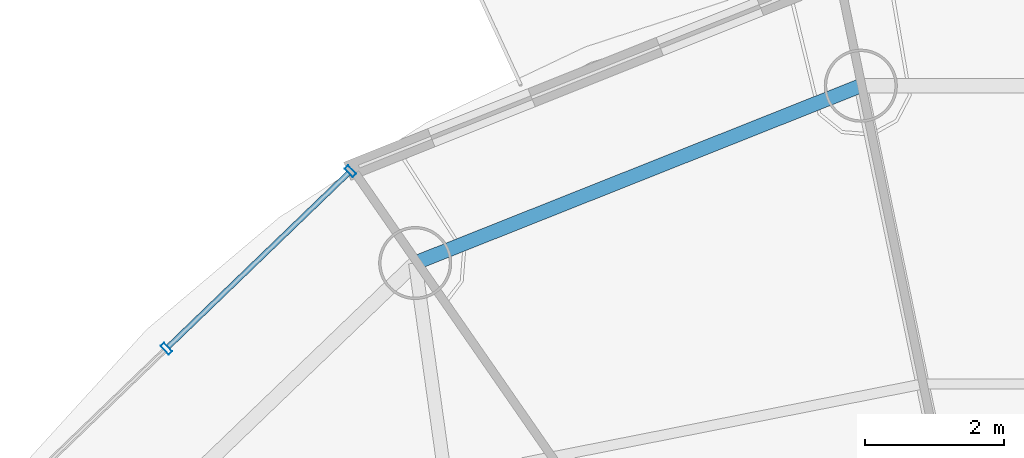
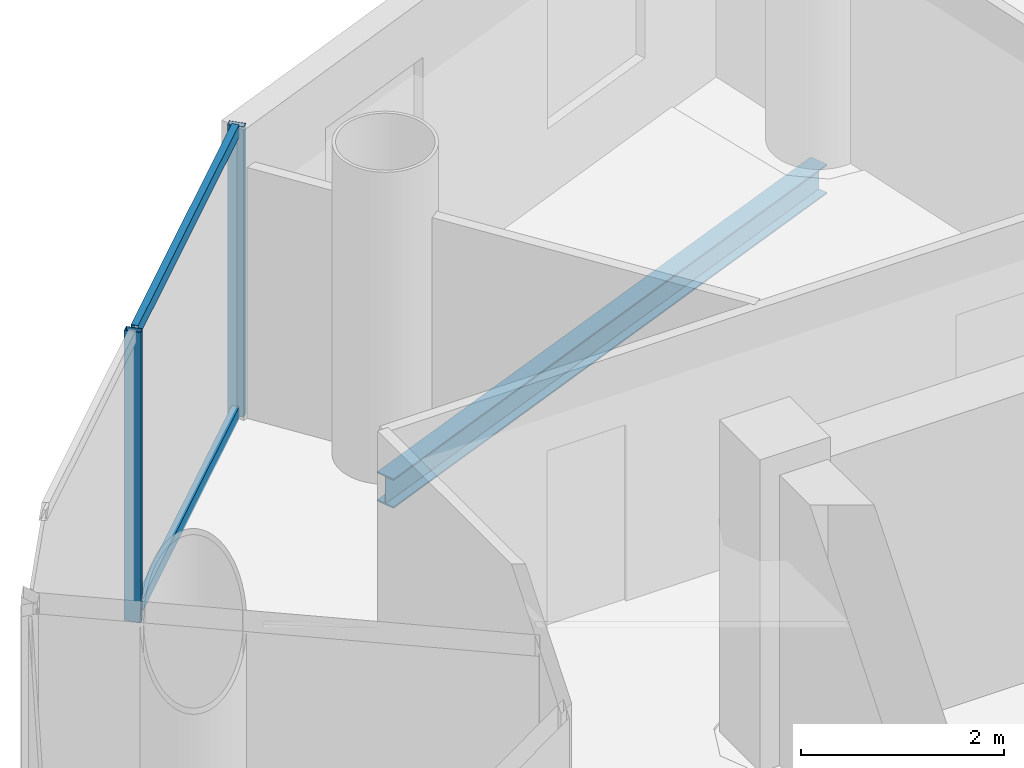
# One storey, part 13 of 23: 4 members, 1 beam, 1 element without a shape of its own.
"""IFC4 building model written with IfcOpenShell, lengths in metres."""

from ifc_helpers import new_model, si_unit, direction, frame, origin, origin_2d, place, context, subcontext, project, spatial, hollow_rectangle, i_section, extrude, source, transform, mapped, material, material_profile, profile_set, type_object, element, aggregate, save


model = new_model("IFC4")

# Units and contexts
model_context = context("Model", 3, precision=1e-05, world=origin(), true_north=direction((-0.2419218956, 0.970295726276)))
body_context = subcontext(model_context, "Body", "Model", "MODEL_VIEW")
ifc_project = project(units=[si_unit("LENGTHUNIT", "METRE"), si_unit("AREAUNIT", "SQUARE_METRE"), si_unit("VOLUMEUNIT", "CUBIC_METRE"), si_unit("PLANEANGLEUNIT", "RADIAN"), si_unit("MASSUNIT", "GRAM", prefix="KILO")], contexts=[model_context])

# Site, building, storey
site_placement = place(None, origin())
site = spatial("IfcSite", under=ifc_project, at=site_placement, CompositionType="ELEMENT")
building_placement = place(site_placement, origin())
building = spatial("IfcBuilding", under=site, at=building_placement, Name="Cobrevalo Terracotta Tower", CompositionType="ELEMENT")
storey_placement = place(building_placement, frame((0.0, 0.0, 248.199951171875)))
storey = spatial("IfcBuildingStorey", under=building, at=storey_placement, Name="L65", CompositionType="ELEMENT", Elevation=248.199951171875)

# Beam
ifc_material_1 = material(Name="Steel S355", Category="steel")
ifc_material_profile_1 = material_profile(ifc_material_1, i_section(OverallWidth=0.205078125, OverallDepth=0.35400390625, WebThickness=0.009521484375, FlangeThickness=0.016845703125, at=origin_2d()), Name="W 360x79")
ifc_profile_set_1 = profile_set([ifc_material_profile_1], Name="Steel S355")
beam_type = type_object("IfcBeamType", Name="Structural Spandrel W 360x79 (Steel S355)", PredefinedType="SPANDREL", material=ifc_profile_set_1)
beam_placement = place(storey_placement, frame((34.537109375, 43.5224609375, -0.43701171875), z_axis=(-0.929149986048, -0.369702993533, 0.0), x_axis=(0.369702993533, -0.929149986048, 0.0)))
element("IfcBeam", 1, at=beam_placement, inside=storey, type_object=beam_type, Name="L65 perimeter ring spandrel 05", PredefinedType="SPANDREL", context=body_context, shape_type="SweptSolid", body=[
    extrude(i_section(OverallWidth=0.205078125, OverallDepth=0.35400390625, WebThickness=0.009521484375, FlangeThickness=0.016845703125, at=origin_2d()), origin(), (0.0, 0.0, 1.0), 6.88623046875),
])

# Curtain wall, members
ifc_material_2 = material(Name="Anodized aluminium", Category="aluminium")
curtain_wall_type = type_object("IfcCurtainWallType", Name="Upper-tower triple-glazed penthouse curtain wall CW-U3", PredefinedType="NOTDEFINED", material=ifc_material_2)
curtain_wall_placement = place(storey_placement, origin())
curtain_wall = element("IfcCurtainWall", 2, at=curtain_wall_placement, inside=storey, type_object=curtain_wall_type, Name="L65 curtain wall CW-L65-S06", PredefinedType="NOTDEFINED")
ifc_material_profile_2 = material_profile(ifc_material_2, hollow_rectangle(XDim=0.070068359375, YDim=0.169921875, WallThickness=0.00439453125, at=origin_2d()), Name="CWM 70x170")
ifc_profile_set_2 = profile_set([ifc_material_profile_2], Name="Anodized aluminium")
member_type_1 = type_object("IfcMemberType", Name="Upper tower unitised mullion 70x170", PredefinedType="MULLION", material=ifc_profile_set_2)
shared_shape_1 = source(origin(), body_context, "Body", "SweptSolid", [
    extrude(hollow_rectangle(XDim=0.070068359375, YDim=0.169921875, WallThickness=0.00439453125, at=origin_2d()), origin(), (0.0, 0.0, 1.0), 3.489990234375),
])
member_1_placement = place(storey_placement, frame((27.209716796875, 42.2958984375, 0.0), z_axis=(0.0, 0.0, 1.0), x_axis=(-0.71999418085, -0.69398010025, 0.0)))
member_1 = element("IfcMember", 3, at=member_1_placement, type_object=member_type_1, Name="CW-L65-S06 vertical mullion 01", PredefinedType="MULLION", context=body_context, shape_type="MappedRepresentation", body=[
    mapped(shared_shape_1, transform((0.0, 0.0, 0.0), scale=1.0)),
])
member_2_placement = place(storey_placement, frame((24.56640625, 39.748046875, 0.0), z_axis=(0.0, 0.0, 1.0), x_axis=(-0.71999418085, -0.69398010025, 0.0)))
member_2 = element("IfcMember", 4, at=member_2_placement, type_object=member_type_1, Name="CW-L65-S06 vertical mullion 02", PredefinedType="MULLION", context=body_context, shape_type="MappedRepresentation", body=[
    mapped(shared_shape_1, transform((0.0, 0.0, 0.0), scale=1.0)),
])
ifc_material_profile_3 = material_profile(ifc_material_2, hollow_rectangle(XDim=0.074951171875, YDim=0.14990234375, WallThickness=0.00439453125, at=origin_2d()), Name="CWT 75x150")
ifc_profile_set_3 = profile_set([ifc_material_profile_3], Name="Anodized aluminium")
member_type_2 = type_object("IfcMemberType", Name="Tower unitised aluminium transom 75x150", PredefinedType="USERDEFINED", material=ifc_profile_set_3)
shared_shape_2 = source(origin(), body_context, "Body", "SweptSolid", [
    extrude(hollow_rectangle(XDim=0.074951171875, YDim=0.14990234375, WallThickness=0.00439453125, at=origin_2d()), origin(), (0.0, 0.0, 1.0), 3.59130859375),
])
member_3_placement = place(storey_placement, frame((27.180908203125, 42.26806640625, 0.050048828125), z_axis=(-0.720005628362, -0.693968223427, 0.0), x_axis=(0.693968223427, -0.720005628362, 0.0)))
member_3 = element("IfcMember", 5, at=member_3_placement, type_object=member_type_2, Name="CW-L65-S06 transom B01-T1", ObjectType="TRANSOM", PredefinedType="USERDEFINED", context=body_context, shape_type="MappedRepresentation", body=[
    mapped(shared_shape_2, transform((0.0, 0.0, 0.0), scale=1.0)),
])
member_4_placement = place(storey_placement, frame((27.180908203125, 42.26806640625, 3.43994140625), z_axis=(-0.720005628362, -0.693968223427, 0.0), x_axis=(0.693968223427, -0.720005628362, 0.0)))
member_4 = element("IfcMember", 6, at=member_4_placement, type_object=member_type_2, Name="CW-L65-S06 transom B01-T2", ObjectType="TRANSOM", PredefinedType="USERDEFINED", context=body_context, shape_type="MappedRepresentation", body=[
    mapped(shared_shape_2, transform((0.0, 0.0, 0.0), scale=1.0)),
])
aggregate(curtain_wall, [member_1, member_2, member_3, member_4])

save(model, "model.ifc")
